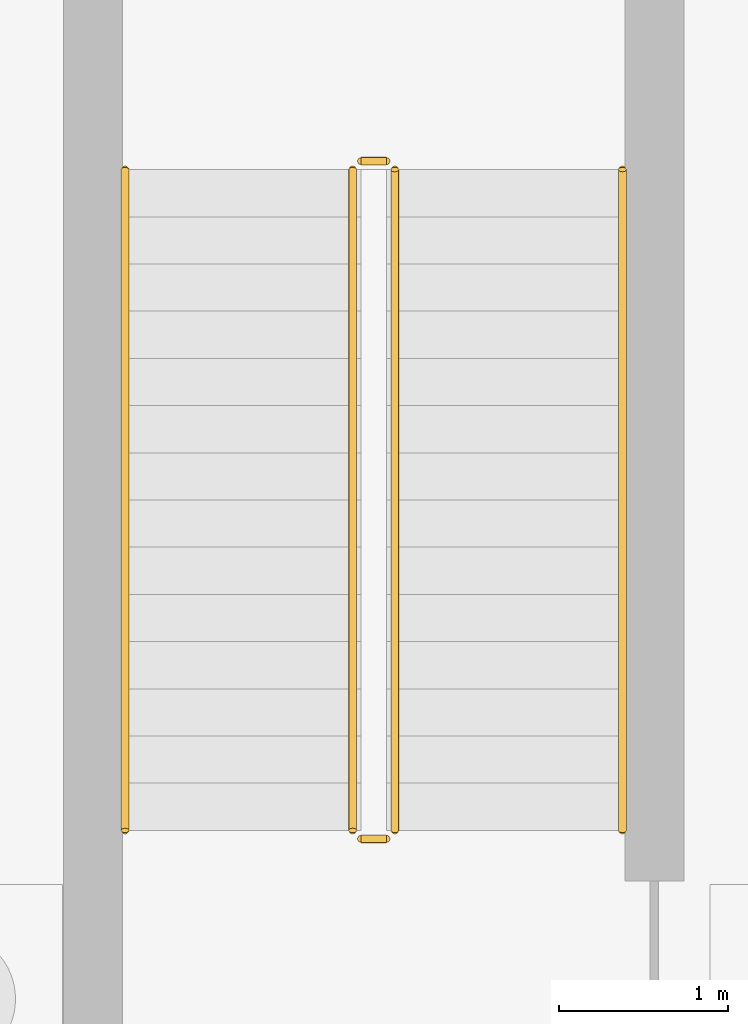
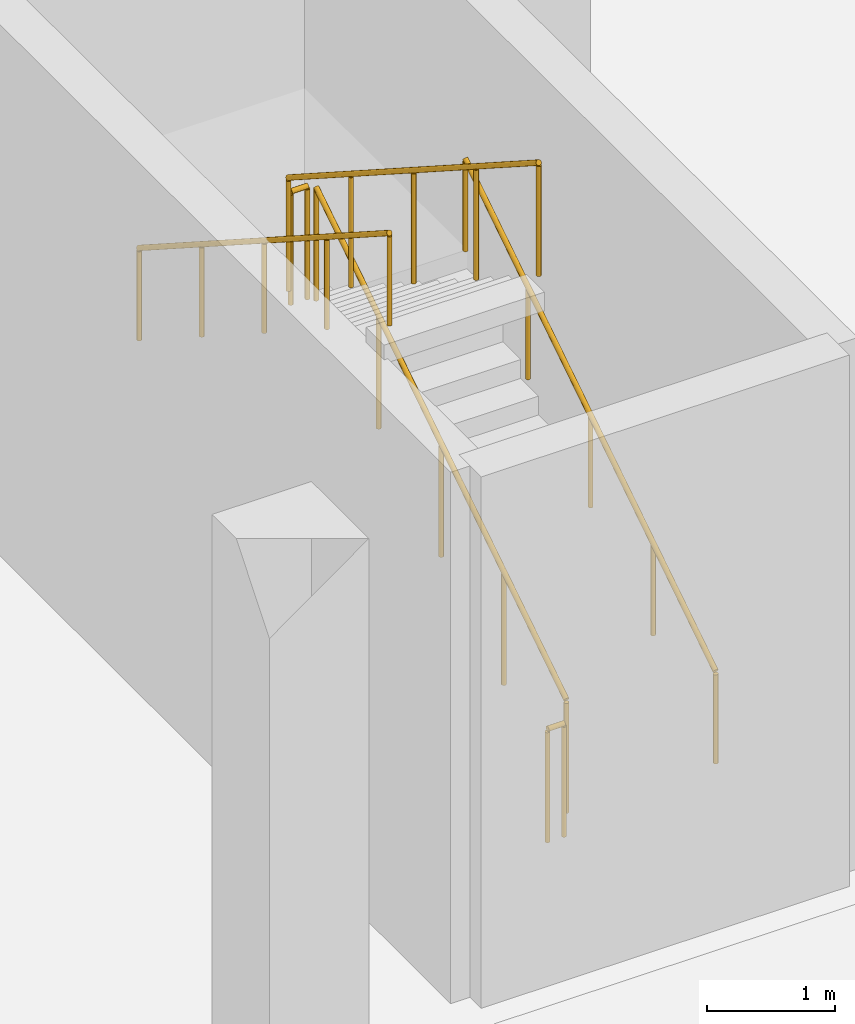
# One storey, part 41 of 42: 6 railings.
"""IFC4 building model written with IfcOpenShell, lengths in metres."""

from ifc_helpers import new_model, si_unit, direction, frame, origin, origin_2d, place, context, subcontext, project, spatial, circle, extrude, material, type_object, element, save


model = new_model("IFC4")

# Units and contexts
model_context = context("Model", 3, precision=1e-05, world=origin(), true_north=direction((0.0, 1.0)))
body_context = subcontext(model_context, "Body", "Model", "MODEL_VIEW")
ifc_project = project(units=[si_unit("LENGTHUNIT", "METRE"), si_unit("AREAUNIT", "SQUARE_METRE"), si_unit("VOLUMEUNIT", "CUBIC_METRE"), si_unit("PLANEANGLEUNIT", "RADIAN"), si_unit("MASSUNIT", "GRAM", prefix="KILO")], contexts=[model_context])

# Site, building, storey
site_placement = place(None, origin())
site = spatial("IfcSite", under=ifc_project, at=site_placement, CompositionType="ELEMENT")
building_placement = place(site_placement, origin())
building = spatial("IfcBuilding", under=site, at=building_placement, Name="Sundgate Opera House", CompositionType="ELEMENT")
storey_placement = place(building_placement, frame((0.0, 0.0, -5.39990234375)))
storey = spatial("IfcBuildingStorey", under=building, at=storey_placement, Name="B01", CompositionType="ELEMENT", Elevation=-5.39990234375)

# Railings
ifc_material_1 = material(Name="Painted steel S275 guardrail", Category="steel")
railing_type_1 = type_object("IfcRailingType", Name="RL-STAIR-GUARD-1100", PredefinedType="GUARDRAIL", material=ifc_material_1)
railing_1_placement = place(storey_placement, frame((135.050048828125, 71.0, 0.179931640625)))
element("IfcRailing", 1, at=railing_1_placement, inside=storey, type_object=railing_type_1, Name="ST06B01 Guardrail RL0207", PredefinedType="GUARDRAIL", context=body_context, shape_type="SweptSolid", body=[
    extrude(circle(Radius=0.02392578125, at=origin_2d()), frame((0.0, 0.0, 1.076171875), z_axis=(0.0, 0.841171666519, 0.540768182723), x_axis=(-1.0, 0.0, 0.0)), (0.0, 0.0, 1.0), 4.66015625),
    extrude(circle(Radius=0.02099609375, at=origin_2d()), origin(), (0.0, 0.0, 1.0), 1.052001953125),
    extrude(circle(Radius=0.02099609375, at=origin_2d()), frame((0.0, 0.97998046875, 0.6298828125)), (0.0, 0.0, 1.0), 1.052001953125),
    extrude(circle(Radius=0.02099609375, at=origin_2d()), frame((0.0, 1.9599609375, 1.260009765625)), (0.0, 0.0, 1.0), 1.052001953125),
    extrude(circle(Radius=0.02099609375, at=origin_2d()), frame((0.0, 2.93994140625, 1.89013671875)), (0.0, 0.0, 1.0), 1.052001953125),
    extrude(circle(Radius=0.02099609375, at=origin_2d()), frame((0.0, 3.919921875, 2.52001953125)), (0.0, 0.0, 1.0), 1.052001953125),
])
railing_2_placement = place(storey_placement, frame((135.0, 74.969970703125, 2.699951171875)))
element("IfcRailing", 2, at=railing_2_placement, inside=storey, type_object=railing_type_1, Name="ST06B01 Guardrail RL0208", PredefinedType="GUARDRAIL", context=body_context, shape_type="SweptSolid", body=[
    extrude(circle(Radius=0.02392578125, at=origin_2d()), frame((0.0, 0.0, 1.076171875), z_axis=(-1.0, 0.0, 0.0), x_axis=(0.0, -1.0, 0.0)), (0.0, 0.0, 1.0), 0.14990234375),
    extrude(circle(Radius=0.02099609375, at=origin_2d()), origin(), (0.0, 0.0, 1.0), 1.052001953125),
    extrude(circle(Radius=0.02099609375, at=origin_2d()), frame((-0.14990234375, 0.0, 0.0)), (0.0, 0.0, 1.0), 1.052001953125),
])
railing_3_placement = place(storey_placement, frame((134.800048828125, 74.919921875, 2.8798828125)))
element("IfcRailing", 3, at=railing_3_placement, inside=storey, type_object=railing_type_1, Name="ST06B01 Guardrail RL0209", PredefinedType="GUARDRAIL", context=body_context, shape_type="SweptSolid", body=[
    extrude(circle(Radius=0.02392578125, at=origin_2d()), frame((0.0, 0.0, 1.076171875), z_axis=(0.0, -0.841171666519, 0.540768182723), x_axis=(1.0, 0.0, 0.0)), (0.0, 0.0, 1.0), 4.66015625),
    extrude(circle(Radius=0.02099609375, at=origin_2d()), origin(), (0.0, 0.0, 1.0), 1.052001953125),
    extrude(circle(Radius=0.02099609375, at=origin_2d()), frame((0.0, -0.97998046875, 0.6298828125)), (0.0, 0.0, 1.0), 1.052001953125),
    extrude(circle(Radius=0.02099609375, at=origin_2d()), frame((0.0, -1.9599609375, 1.260009765625)), (0.0, 0.0, 1.0), 1.052001953125),
    extrude(circle(Radius=0.02099609375, at=origin_2d()), frame((0.0, -2.93994140625, 1.89013671875)), (0.0, 0.0, 1.0), 1.052001953125),
    extrude(circle(Radius=0.02099609375, at=origin_2d()), frame((0.0, -3.919921875, 2.52001953125)), (0.0, 0.0, 1.0), 1.052001953125),
])
railing_4_placement = place(storey_placement, frame((135.0, 70.949951171875, 0.0)))
element("IfcRailing", 4, at=railing_4_placement, inside=storey, type_object=railing_type_1, Name="ST06B01 Guardrail RL0210", PredefinedType="GUARDRAIL", context=body_context, shape_type="SweptSolid", body=[
    extrude(circle(Radius=0.02392578125, at=origin_2d()), frame((0.0, 0.0, 1.076171875), z_axis=(-1.0, 0.0, 0.0), x_axis=(0.0, -1.0, 0.0)), (0.0, 0.0, 1.0), 0.14990234375),
    extrude(circle(Radius=0.02099609375, at=origin_2d()), origin(), (0.0, 0.0, 1.0), 1.052001953125),
    extrude(circle(Radius=0.02099609375, at=origin_2d()), frame((-0.14990234375, 0.0, 0.0)), (0.0, 0.0, 1.0), 1.052001953125),
])
ifc_material_2 = material(Name="Brushed stainless steel handrail", Category="steel")
railing_type_2 = type_object("IfcRailingType", Name="RL-STAIR-HAND-900", PredefinedType="HANDRAIL", material=ifc_material_2)
railing_5_placement = place(storey_placement, frame((136.39990234375, 71.0, 0.179931640625)))
element("IfcRailing", 5, at=railing_5_placement, inside=storey, type_object=railing_type_2, Name="ST06B01 Handrail RL0211", PredefinedType="HANDRAIL", context=body_context, shape_type="SweptSolid", body=[
    extrude(circle(Radius=0.02392578125, at=origin_2d()), frame((0.0, 0.0, 0.8759765625), z_axis=(0.0, 0.841171666519, 0.540768182723), x_axis=(-1.0, 0.0, 0.0)), (0.0, 0.0, 1.0), 4.66015625),
    extrude(circle(Radius=0.02099609375, at=origin_2d()), origin(), (0.0, 0.0, 1.0), 0.851806640625),
    extrude(circle(Radius=0.02099609375, at=origin_2d()), frame((0.0, 0.97998046875, 0.6298828125)), (0.0, 0.0, 1.0), 0.851806640625),
    extrude(circle(Radius=0.02099609375, at=origin_2d()), frame((0.0, 1.9599609375, 1.260009765625)), (0.0, 0.0, 1.0), 0.851806640625),
    extrude(circle(Radius=0.02099609375, at=origin_2d()), frame((0.0, 2.93994140625, 1.89013671875)), (0.0, 0.0, 1.0), 0.851806640625),
    extrude(circle(Radius=0.02099609375, at=origin_2d()), frame((0.0, 3.919921875, 2.52001953125)), (0.0, 0.0, 1.0), 0.851806640625),
])
railing_6_placement = place(storey_placement, frame((133.449951171875, 74.919921875, 2.8798828125)))
element("IfcRailing", 6, at=railing_6_placement, inside=storey, type_object=railing_type_2, Name="ST06B01 Handrail RL0212", PredefinedType="HANDRAIL", context=body_context, shape_type="SweptSolid", body=[
    extrude(circle(Radius=0.02392578125, at=origin_2d()), frame((0.0, 0.0, 0.8759765625), z_axis=(0.0, -0.841171666519, 0.540768182723), x_axis=(1.0, 0.0, 0.0)), (0.0, 0.0, 1.0), 4.66015625),
    extrude(circle(Radius=0.02099609375, at=origin_2d()), origin(), (0.0, 0.0, 1.0), 0.851806640625),
    extrude(circle(Radius=0.02099609375, at=origin_2d()), frame((0.0, -0.97998046875, 0.6298828125)), (0.0, 0.0, 1.0), 0.851806640625),
    extrude(circle(Radius=0.02099609375, at=origin_2d()), frame((0.0, -1.9599609375, 1.260009765625)), (0.0, 0.0, 1.0), 0.851806640625),
    extrude(circle(Radius=0.02099609375, at=origin_2d()), frame((0.0, -2.93994140625, 1.89013671875)), (0.0, 0.0, 1.0), 0.851806640625),
    extrude(circle(Radius=0.02099609375, at=origin_2d()), frame((0.0, -3.919921875, 2.52001953125)), (0.0, 0.0, 1.0), 0.851806640625),
])

save(model, "model.ifc")
